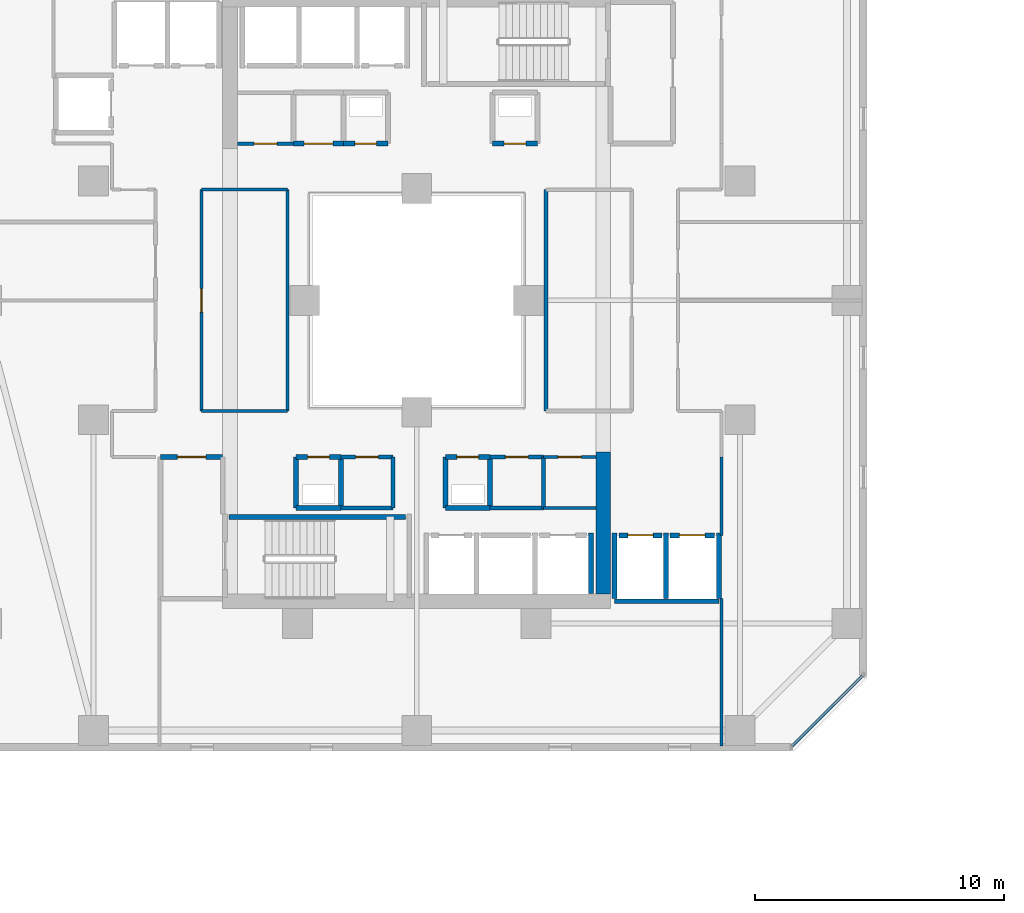
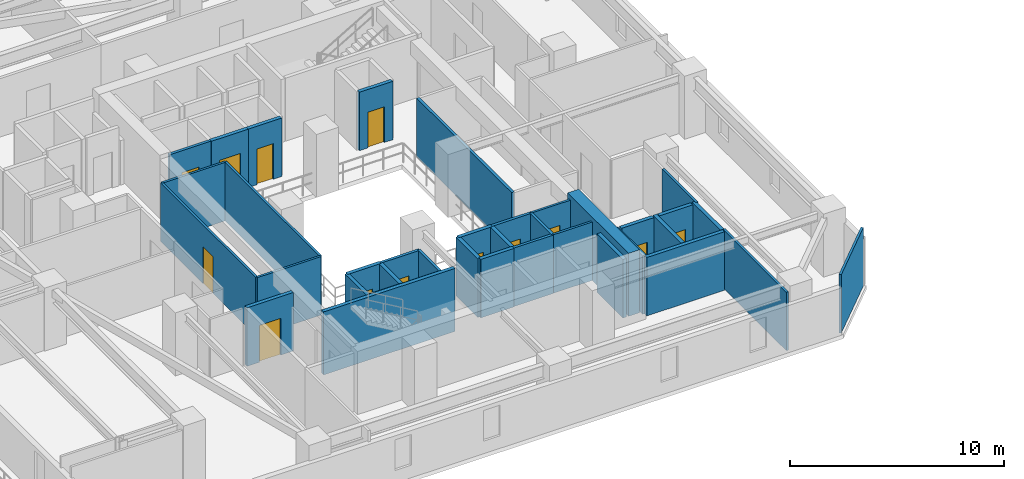
# One storey, part 20 of 33: 38 walls, 13 doors, 13 openings.
"""IFC4 building model written with IfcOpenShell, lengths in metres."""

from ifc_helpers import new_model, si_unit, direction, frame, frame_2d, origin, place, context, subcontext, project, spatial, rectangle, extrude, material, layer, layer_set, type_object, element, fill, save


model = new_model("IFC4")

# Units and contexts
model_context = context("Model", 3, precision=1e-05, world=origin(), true_north=direction((0.0, 1.0)))
body_context = subcontext(model_context, "Body", "Model", "MODEL_VIEW")
ifc_project = project(units=[si_unit("LENGTHUNIT", "METRE"), si_unit("AREAUNIT", "SQUARE_METRE"), si_unit("VOLUMEUNIT", "CUBIC_METRE"), si_unit("PLANEANGLEUNIT", "RADIAN"), si_unit("MASSUNIT", "GRAM", prefix="KILO")], contexts=[model_context])

# Site, building, storey
site_placement = place(None, origin())
site = spatial("IfcSite", under=ifc_project, at=site_placement, CompositionType="ELEMENT")
building_placement = place(site_placement, origin())
building = spatial("IfcBuilding", under=site, at=building_placement, Name="Thornwick Lancets Civic Towers", CompositionType="ELEMENT")
storey_placement = place(building_placement, frame((0.0, 0.0, 112.5)))
storey = spatial("IfcBuildingStorey", under=building, at=storey_placement, Name="L29", CompositionType="ELEMENT", Elevation=112.5)

# Wall, opening, door
ifc_material_1 = material(Name="Concrete blockwork C40/50", Category="masonry")
ifc_layer_1 = layer(ifc_material_1, 0.199951171875, Name="Concrete blockwork C40/50")
ifc_layer_set_1 = layer_set([ifc_layer_1], Name="Concrete blockwork C40/50")
wall_type_1 = type_object("IfcWallType", Name="WALL_COMP_200", PredefinedType="STANDARD", material=ifc_layer_set_1)
wall_1_placement = place(storey_placement, frame((33.6298828125, 17.550048828125, 0.0), z_axis=(0.0, 0.0, 1.0), x_axis=(1.0, 0.0, 0.0)))
wall_1 = element("IfcWall", 1, at=wall_1_placement, inside=storey, type_object=wall_type_1, Name="L29 Hoistway Front Wall PL-AL2", PredefinedType="STANDARD", context=body_context, shape_type="SweptSolid", body=[
    extrude(rectangle(XDim=1.740234375, YDim=0.199951171875, at=frame_2d((0.8701171875, 0.0))), origin(), (0.0, 0.0, 1.0), 3.340087890625),
])
opening_1_placement = place(wall_1_placement, frame((0.360107421875, 0.0, 0.0)))
opening_1 = element("IfcOpeningElement", 2, at=opening_1_placement, cuts=wall_1, Name="Opening LD-PL-AL2", PredefinedType="OPENING", context=body_context, shape_type="SweptSolid", body=[
    extrude(rectangle(XDim=1.02001953125, YDim=2.06005859375, at=frame_2d((0.510009765625, 1.030029296875))), frame((0.0, 0.10986328125, 0.0), z_axis=(0.0, -1.0, 0.0), x_axis=(1.0, 0.0, 0.0)), (0.0, 0.0, 1.0), 0.219970703125),
])
ifc_material_2 = material(Name="Brushed bronze stainless steel", Category="steel")
door_type_1 = type_object("IfcDoorType", Name="DOOR_LIFT_SLIDE", OperationType="SLIDING_TO_LEFT", PredefinedType="DOOR", material=ifc_material_2)
door_1_placement = place(opening_1_placement, origin())
door_1 = element("IfcDoor", 3, at=door_1_placement, inside=storey, type_object=door_type_1, Name="L29 Sliding Lift Landing Door LD-PL-AL2", OperationType="SLIDING_TO_LEFT", OverallHeight=2.06005859375, OverallWidth=1.02001953125, PredefinedType="DOOR", context=body_context, shape_type="SweptSolid", body=[
    extrude(rectangle(XDim=1.02001953125, YDim=2.06005859375, at=frame_2d((0.510009765625, 1.030029296875))), frame((0.0, 0.02490234375, 0.0), z_axis=(0.0, -1.0, 0.0), x_axis=(1.0, 0.0, 0.0)), (0.0, 0.0, 1.0), 0.050048828125),
])
fill(opening_1, door_1)

wall_2_placement = place(storey_placement, frame((35.679931640625, 17.550048828125, 0.0), z_axis=(0.0, 0.0, 1.0), x_axis=(1.0, 0.0, 0.0)))
wall_2 = element("IfcWall", 4, at=wall_2_placement, inside=storey, type_object=wall_type_1, Name="L29 Hoistway Front Wall PL-AL3", PredefinedType="STANDARD", context=body_context, shape_type="SweptSolid", body=[
    extrude(rectangle(XDim=1.7900390625, YDim=0.199951171875, at=frame_2d((0.89501953125, 0.0))), origin(), (0.0, 0.0, 1.0), 3.340087890625),
])
opening_2_placement = place(wall_2_placement, frame((0.385009765625, 0.0, 0.0)))
opening_2 = element("IfcOpeningElement", 5, at=opening_2_placement, cuts=wall_2, Name="Opening LD-PL-AL3", PredefinedType="OPENING", context=body_context, shape_type="SweptSolid", body=[
    extrude(rectangle(XDim=1.02001953125, YDim=2.06005859375, at=frame_2d((0.510009765625, 1.030029296875))), frame((0.0, 0.10986328125, 0.0), z_axis=(0.0, -1.0, 0.0), x_axis=(1.0, 0.0, 0.0)), (0.0, 0.0, 1.0), 0.219970703125),
])
door_2_placement = place(opening_2_placement, origin())
door_2 = element("IfcDoor", 6, at=door_2_placement, inside=storey, type_object=door_type_1, Name="L29 Sliding Lift Landing Door LD-PL-AL3", OperationType="SLIDING_TO_LEFT", OverallHeight=2.06005859375, OverallWidth=1.02001953125, PredefinedType="DOOR", context=body_context, shape_type="SweptSolid", body=[
    extrude(rectangle(XDim=1.02001953125, YDim=2.06005859375, at=frame_2d((0.510009765625, 1.030029296875))), frame((0.0, 0.02490234375, 0.0), z_axis=(0.0, -1.0, 0.0), x_axis=(1.0, 0.0, 0.0)), (0.0, 0.0, 1.0), 0.050048828125),
])
fill(opening_2, door_2)

# Walls
wall_3_placement = place(storey_placement, frame((32.5, 15.2119140625, 0.0), z_axis=(0.0, 0.0, 1.0), x_axis=(0.0, 1.0, 0.0)))
element("IfcWall", 7, at=wall_3_placement, inside=storey, type_object=wall_type_1, Name="L29 Hoistway Shaft Wall PL-AL1 E", PredefinedType="STANDARD", context=body_context, shape_type="SweptSolid", body=[
    extrude(rectangle(XDim=2.43603515625, YDim=0.199951171875, at=frame_2d((1.218017578125, 0.0))), origin(), (0.0, 0.0, 1.0), 3.340087890625),
])
wall_4_placement = place(storey_placement, frame((33.451904296875, 14.89990234375, 0.0), z_axis=(0.0, 0.0, 1.0), x_axis=(1.0, 0.0, 0.0)))
element("IfcWall", 8, at=wall_4_placement, inside=storey, type_object=wall_type_1, Name="L29 Hoistway Shaft Wall PL-AL2 S", PredefinedType="STANDARD", context=body_context, shape_type="SweptSolid", body=[
    extrude(rectangle(XDim=4.196044921875, YDim=0.199951171875, at=frame_2d((2.09814453125, 0.0))), origin(), (0.0, 0.0, 1.0), 3.340087890625),
])
for number, where, z_axis, x_axis, name in (
    (9, (35.52490234375, 15.011962890625, 0.0), (0.0, 0.0, 1.0), (0.0, 1.0, 0.0), "L29 Hoistway Shaft Wall PL-AL2 E"),
    (10, (33.449951171875, 15.011962890625, 0.0), (0.0, 0.0, 1.0), (0.0, 1.0, 0.0), "L29 Hoistway Shaft Wall PL-AL2 W"),
    (11, (37.64990234375, 15.011962890625, 0.0), (0.0, 0.0, 1.0), (0.0, 1.0, 0.0), "L29 Hoistway Shaft Wall PL-AL3 E"),
):
    element("IfcWall", number, at=place(storey_placement, frame(where, z_axis=z_axis, x_axis=x_axis)), inside=storey, type_object=wall_type_1, Name=name, PredefinedType="STANDARD", context=body_context, shape_type="SweptSolid", body=[
        extrude(rectangle(XDim=2.635986328125, YDim=0.199951171875, at=frame_2d((1.31787109375, 0.0))), origin(), (0.0, 0.0, 1.0), 3.340087890625),
    ])

# Wall, opening, door
wall_5_placement = place(storey_placement, frame((17.699951171875, 20.699951171875, 0.0), z_axis=(0.0, 0.0, 1.0), x_axis=(-1.0, 0.0, 0.0)))
wall_5 = element("IfcWall", 12, at=wall_5_placement, inside=storey, type_object=wall_type_1, Name="L29 Partition L29-A-FFLOB1 E3", PredefinedType="STANDARD", context=body_context, shape_type="SweptSolid", body=[
    extrude(rectangle(XDim=2.5, YDim=0.199951171875, at=frame_2d((1.25, 0.0))), origin(), (0.0, 0.0, 1.0), 3.340087890625),
])
opening_3_placement = place(wall_5_placement, frame((0.675048828125, 0.0, 0.0)))
opening_3 = element("IfcOpeningElement", 13, at=opening_3_placement, cuts=wall_5, Name="Opening D-L29-1321", PredefinedType="OPENING", context=body_context, shape_type="SweptSolid", body=[
    extrude(rectangle(XDim=1.14990234375, YDim=2.10009765625, at=frame_2d((0.574951171875, 1.050048828125))), frame((0.0, 0.10986328125, 0.0), z_axis=(0.0, -1.0, 0.0), x_axis=(1.0, 0.0, 0.0)), (0.0, 0.0, 1.0), 0.219970703125),
])
ifc_material_3 = material(Name="Glazed fire-resisting steel", Category="steel")
door_type_2 = type_object("IfcDoorType", Name="DOOR_LOBBY_FD60", OperationType="NOTDEFINED", PredefinedType="DOOR", material=ifc_material_3)
door_3_placement = place(opening_3_placement, origin())
door_3 = element("IfcDoor", 14, at=door_3_placement, inside=storey, type_object=door_type_2, Name="L29 South Firefighting Lobby 1 Door", OperationType="SINGLE_SWING_RIGHT", OverallHeight=2.10009765625, OverallWidth=1.14990234375, PredefinedType="DOOR", context=body_context, shape_type="SweptSolid", body=[
    extrude(rectangle(XDim=1.14990234375, YDim=2.10009765625, at=frame_2d((0.574951171875, 1.050048828125))), frame((0.0, 0.02490234375, 0.0), z_axis=(0.0, -1.0, 0.0), x_axis=(1.0, 0.0, 0.0)), (0.0, 0.0, 1.0), 0.050048828125),
])
fill(opening_3, door_3)

# Walls
wall_6_placement = place(storey_placement, frame((26.64990234375, 18.64990234375, 0.0), z_axis=(0.0, 0.0, 1.0), x_axis=(1.0, 0.0, 0.0)))
element("IfcWall", 15, at=wall_6_placement, inside=storey, type_object=wall_type_1, Name="L29 Partition L29-A-DUCT1 E1", PredefinedType="STANDARD", context=body_context, shape_type="SweptSolid", body=[
    extrude(rectangle(XDim=1.800048828125, YDim=0.199951171875, at=frame_2d((0.89990234375, 0.0))), origin(), (0.0, 0.0, 1.0), 3.340087890625),
])
wall_7_placement = place(storey_placement, frame((28.449951171875, 18.64990234375, 0.0), z_axis=(0.0, 0.0, 1.0), x_axis=(0.0, 1.0, 0.0)))
element("IfcWall", 16, at=wall_7_placement, inside=storey, type_object=wall_type_1, Name="L29 Partition L29-A-DUCT1 E2", PredefinedType="STANDARD", context=body_context, shape_type="SweptSolid", body=[
    extrude(rectangle(XDim=2.050048828125, YDim=0.199951171875, at=frame_2d((1.02490234375, 0.0))), origin(), (0.0, 0.0, 1.0), 3.340087890625),
])

# Wall, opening, door
wall_8_placement = place(storey_placement, frame((28.449951171875, 20.699951171875, 0.0), z_axis=(0.0, 0.0, 1.0), x_axis=(-1.0, 0.0, 0.0)))
wall_8 = element("IfcWall", 17, at=wall_8_placement, inside=storey, type_object=wall_type_1, Name="L29 Partition L29-A-DUCT1 E3", PredefinedType="STANDARD", context=body_context, shape_type="SweptSolid", body=[
    extrude(rectangle(XDim=1.800048828125, YDim=0.199951171875, at=frame_2d((0.89990234375, 0.0))), origin(), (0.0, 0.0, 1.0), 3.340087890625),
])
opening_4_placement = place(wall_8_placement, frame((0.4599609375, 0.0, 0.0)))
opening_4 = element("IfcOpeningElement", 18, at=opening_4_placement, cuts=wall_8, Name="Opening D-L29-1323", PredefinedType="OPENING", context=body_context, shape_type="SweptSolid", body=[
    extrude(rectangle(XDim=0.8798828125, YDim=2.0400390625, at=frame_2d((0.43994140625, 1.02001953125))), frame((0.0, 0.10986328125, 0.0), z_axis=(0.0, -1.0, 0.0), x_axis=(1.0, 0.0, 0.0)), (0.0, 0.0, 1.0), 0.219970703125),
])
ifc_material_4 = material(Name="Steel riser access doorset", Category="steel")
door_type_3 = type_object("IfcDoorType", Name="DOOR_RISER_850", OperationType="NOTDEFINED", PredefinedType="DOOR", material=ifc_material_4)
door_4_placement = place(opening_4_placement, origin())
door_4 = element("IfcDoor", 19, at=door_4_placement, inside=storey, type_object=door_type_3, Name="L29 South Service Duct 1 Door", OperationType="SINGLE_SWING_RIGHT", OverallHeight=2.0400390625, OverallWidth=0.8798828125, PredefinedType="DOOR", context=body_context, shape_type="SweptSolid", body=[
    extrude(rectangle(XDim=0.8798828125, YDim=2.0400390625, at=frame_2d((0.43994140625, 1.02001953125))), frame((0.0, 0.02490234375, 0.0), z_axis=(0.0, -1.0, 0.0), x_axis=(1.0, 0.0, 0.0)), (0.0, 0.0, 1.0), 0.050048828125),
])
fill(opening_4, door_4)

# Walls
wall_9_placement = place(storey_placement, frame((26.64990234375, 20.699951171875, 0.0), z_axis=(0.0, 0.0, 1.0), x_axis=(0.0, -1.0, 0.0)))
element("IfcWall", 20, at=wall_9_placement, inside=storey, type_object=wall_type_1, Name="L29 Partition L29-A-DUCT1 E4", PredefinedType="STANDARD", context=body_context, shape_type="SweptSolid", body=[
    extrude(rectangle(XDim=2.050048828125, YDim=0.199951171875, at=frame_2d((1.02490234375, 0.0))), origin(), (0.0, 0.0, 1.0), 3.340087890625),
])
wall_10_placement = place(storey_placement, frame((20.64990234375, 18.64990234375, 0.0), z_axis=(0.0, 0.0, 1.0), x_axis=(1.0, 0.0, 0.0)))
element("IfcWall", 21, at=wall_10_placement, inside=storey, type_object=wall_type_1, Name="L29 Partition L29-A-RISER1 E1", PredefinedType="STANDARD", context=body_context, shape_type="SweptSolid", body=[
    extrude(rectangle(XDim=1.800048828125, YDim=0.199951171875, at=frame_2d((0.89990234375, 0.0))), origin(), (0.0, 0.0, 1.0), 3.340087890625),
])
wall_11_placement = place(storey_placement, frame((22.449951171875, 18.64990234375, 0.0), z_axis=(0.0, 0.0, 1.0), x_axis=(0.0, 1.0, 0.0)))
element("IfcWall", 22, at=wall_11_placement, inside=storey, type_object=wall_type_1, Name="L29 Partition L29-A-RISER1 E2", PredefinedType="STANDARD", context=body_context, shape_type="SweptSolid", body=[
    extrude(rectangle(XDim=2.050048828125, YDim=0.199951171875, at=frame_2d((1.02490234375, 0.0))), origin(), (0.0, 0.0, 1.0), 3.340087890625),
])

# Wall, opening, door
wall_12_placement = place(storey_placement, frame((22.449951171875, 20.699951171875, 0.0), z_axis=(0.0, 0.0, 1.0), x_axis=(-1.0, 0.0, 0.0)))
wall_12 = element("IfcWall", 23, at=wall_12_placement, inside=storey, type_object=wall_type_1, Name="L29 Partition L29-A-RISER1 E3", PredefinedType="STANDARD", context=body_context, shape_type="SweptSolid", body=[
    extrude(rectangle(XDim=1.800048828125, YDim=0.199951171875, at=frame_2d((0.89990234375, 0.0))), origin(), (0.0, 0.0, 1.0), 3.340087890625),
])
opening_5_placement = place(wall_12_placement, frame((0.4599609375, 0.0, 0.0)))
opening_5 = element("IfcOpeningElement", 24, at=opening_5_placement, cuts=wall_12, Name="Opening D-L29-1324", PredefinedType="OPENING", context=body_context, shape_type="SweptSolid", body=[
    extrude(rectangle(XDim=0.8798828125, YDim=2.0400390625, at=frame_2d((0.43994140625, 1.02001953125))), frame((0.0, 0.10986328125, 0.0), z_axis=(0.0, -1.0, 0.0), x_axis=(1.0, 0.0, 0.0)), (0.0, 0.0, 1.0), 0.219970703125),
])
door_5_placement = place(opening_5_placement, origin())
door_5 = element("IfcDoor", 25, at=door_5_placement, inside=storey, type_object=door_type_3, Name="L29 South Electrical Riser 1 Door", OperationType="SINGLE_SWING_LEFT", OverallHeight=2.0400390625, OverallWidth=0.8798828125, PredefinedType="DOOR", context=body_context, shape_type="SweptSolid", body=[
    extrude(rectangle(XDim=0.8798828125, YDim=2.0400390625, at=frame_2d((0.43994140625, 1.02001953125))), frame((0.0, 0.02490234375, 0.0), z_axis=(0.0, -1.0, 0.0), x_axis=(1.0, 0.0, 0.0)), (0.0, 0.0, 1.0), 0.050048828125),
])
fill(opening_5, door_5)

# Wall
wall_13_placement = place(storey_placement, frame((20.64990234375, 20.699951171875, 0.0), z_axis=(0.0, 0.0, 1.0), x_axis=(0.0, -1.0, 0.0)))
element("IfcWall", 26, at=wall_13_placement, inside=storey, type_object=wall_type_1, Name="L29 Partition L29-A-RISER1 E4", PredefinedType="STANDARD", context=body_context, shape_type="SweptSolid", body=[
    extrude(rectangle(XDim=2.050048828125, YDim=0.199951171875, at=frame_2d((1.02490234375, 0.0))), origin(), (0.0, 0.0, 1.0), 3.340087890625),
])

# Wall, opening, door
wall_14_placement = place(storey_placement, frame((22.550048828125, 33.300048828125, 0.0), z_axis=(0.0, 0.0, 1.0), x_axis=(1.0, 0.0, 0.0)))
wall_14 = element("IfcWall", 27, at=wall_14_placement, inside=storey, type_object=wall_type_1, Name="L29 Partition L29-A-DUCT2 E1", PredefinedType="STANDARD", context=body_context, shape_type="SweptSolid", body=[
    extrude(rectangle(XDim=1.800048828125, YDim=0.199951171875, at=frame_2d((0.89990234375, 0.0))), origin(), (0.0, 0.0, 1.0), 3.340087890625),
])
opening_6_placement = place(wall_14_placement, frame((0.4599609375, 0.0, 0.0)))
opening_6 = element("IfcOpeningElement", 28, at=opening_6_placement, cuts=wall_14, Name="Opening D-L29-1325", PredefinedType="OPENING", context=body_context, shape_type="SweptSolid", body=[
    extrude(rectangle(XDim=0.8798828125, YDim=2.0400390625, at=frame_2d((0.43994140625, 1.02001953125))), frame((0.0, 0.10986328125, 0.0), z_axis=(0.0, -1.0, 0.0), x_axis=(1.0, 0.0, 0.0)), (0.0, 0.0, 1.0), 0.219970703125),
])
door_6_placement = place(opening_6_placement, origin())
door_6 = element("IfcDoor", 29, at=door_6_placement, inside=storey, type_object=door_type_3, Name="L29 North Service Duct 2 Door", OperationType="SINGLE_SWING_RIGHT", OverallHeight=2.0400390625, OverallWidth=0.8798828125, PredefinedType="DOOR", context=body_context, shape_type="SweptSolid", body=[
    extrude(rectangle(XDim=0.8798828125, YDim=2.0400390625, at=frame_2d((0.43994140625, 1.02001953125))), frame((0.0, 0.02490234375, 0.0), z_axis=(0.0, -1.0, 0.0), x_axis=(1.0, 0.0, 0.0)), (0.0, 0.0, 1.0), 0.050048828125),
])
fill(opening_6, door_6)

wall_15_placement = place(storey_placement, frame((28.550048828125, 33.300048828125, 0.0), z_axis=(0.0, 0.0, 1.0), x_axis=(1.0, 0.0, 0.0)))
wall_15 = element("IfcWall", 30, at=wall_15_placement, inside=storey, type_object=wall_type_1, Name="L29 Partition L29-A-RISER2 E1", PredefinedType="STANDARD", context=body_context, shape_type="SweptSolid", body=[
    extrude(rectangle(XDim=1.800048828125, YDim=0.199951171875, at=frame_2d((0.89990234375, 0.0))), origin(), (0.0, 0.0, 1.0), 3.340087890625),
])
opening_7_placement = place(wall_15_placement, frame((0.4599609375, 0.0, 0.0)))
opening_7 = element("IfcOpeningElement", 31, at=opening_7_placement, cuts=wall_15, Name="Opening D-L29-1326", PredefinedType="OPENING", context=body_context, shape_type="SweptSolid", body=[
    extrude(rectangle(XDim=0.8798828125, YDim=2.0400390625, at=frame_2d((0.43994140625, 1.02001953125))), frame((0.0, 0.10986328125, 0.0), z_axis=(0.0, -1.0, 0.0), x_axis=(1.0, 0.0, 0.0)), (0.0, 0.0, 1.0), 0.219970703125),
])
door_7_placement = place(opening_7_placement, origin())
door_7 = element("IfcDoor", 32, at=door_7_placement, inside=storey, type_object=door_type_3, Name="L29 North Service Riser 2 Door", OperationType="SINGLE_SWING_LEFT", OverallHeight=2.0400390625, OverallWidth=0.8798828125, PredefinedType="DOOR", context=body_context, shape_type="SweptSolid", body=[
    extrude(rectangle(XDim=0.8798828125, YDim=2.0400390625, at=frame_2d((0.43994140625, 1.02001953125))), frame((0.0, 0.02490234375, 0.0), z_axis=(0.0, -1.0, 0.0), x_axis=(1.0, 0.0, 0.0)), (0.0, 0.0, 1.0), 0.050048828125),
])
fill(opening_7, door_7)

wall_16_placement = place(storey_placement, frame((22.550048828125, 33.300048828125, 0.0), z_axis=(0.0, 0.0, 1.0), x_axis=(-1.0, 0.0, 0.0)))
wall_16 = element("IfcWall", 33, at=wall_16_placement, inside=storey, type_object=wall_type_1, Name="L29 Partition L29-A-STR E4", PredefinedType="STANDARD", context=body_context, shape_type="SweptSolid", body=[
    extrude(rectangle(XDim=2.0, YDim=0.199951171875, at=frame_2d((1.0, 0.0))), origin(), (0.0, 0.0, 1.0), 3.340087890625),
])
opening_8_placement = place(wall_16_placement, frame((0.425048828125, 0.0, 0.0)))
opening_8 = element("IfcOpeningElement", 34, at=opening_8_placement, cuts=wall_16, Name="Opening D-L29-1331", PredefinedType="OPENING", context=body_context, shape_type="SweptSolid", body=[
    extrude(rectangle(XDim=1.14990234375, YDim=2.10009765625, at=frame_2d((0.574951171875, 1.050048828125))), frame((0.0, 0.10986328125, 0.0), z_axis=(0.0, -1.0, 0.0), x_axis=(1.0, 0.0, 0.0)), (0.0, 0.0, 1.0), 0.219970703125),
])
door_8_placement = place(opening_8_placement, origin())
door_8 = element("IfcDoor", 35, at=door_8_placement, inside=storey, type_object=door_type_2, Name="L29 Tower A Core Records Store Door", OperationType="SINGLE_SWING_RIGHT", OverallHeight=2.10009765625, OverallWidth=1.14990234375, PredefinedType="DOOR", context=body_context, shape_type="SweptSolid", body=[
    extrude(rectangle(XDim=1.14990234375, YDim=2.10009765625, at=frame_2d((0.574951171875, 1.050048828125))), frame((0.0, 0.02490234375, 0.0), z_axis=(0.0, -1.0, 0.0), x_axis=(1.0, 0.0, 0.0)), (0.0, 0.0, 1.0), 0.050048828125),
])
fill(opening_8, door_8)

# Walls
ifc_material_5 = material(Name="Concrete C60/75", Category="concrete")
ifc_layer_2 = layer(ifc_material_5, 0.60009765625, Name="Concrete C60/75")
ifc_layer_set_2 = layer_set([ifc_layer_2], Name="Concrete C60/75")
wall_type_2 = type_object("IfcWallType", Name="WALL_CORE_600", PredefinedType="SHEAR", material=ifc_layer_set_2)
wall_17_placement = place(storey_placement, frame((33.0, 15.199951171875, 0.0), z_axis=(0.0, 0.0, 1.0), x_axis=(0.0, 1.0, 0.0)))
element("IfcWall", 36, at=wall_17_placement, inside=storey, type_object=wall_type_2, Name="L29 Split Core A1 Shear Wall E", PredefinedType="SHEAR", context=body_context, shape_type="SweptSolid", body=[
    extrude(rectangle(XDim=5.699951171875, YDim=0.60009765625, at=frame_2d((2.85009765625, 0.0))), origin(), (0.0, 0.0, 1.0), 3.60009765625),
])
ifc_material_6 = material(Name="Acoustic gypsum board partition")
ifc_layer_3 = layer(ifc_material_6, 0.1201171875, Name="Acoustic gypsum board partition")
ifc_layer_set_3 = layer_set([ifc_layer_3], Name="Acoustic gypsum board partition")
wall_type_3 = type_object("IfcWallType", Name="WALL_PART_120", PredefinedType="PARTITIONING", material=ifc_layer_set_3)
wall_18_placement = place(storey_placement, frame((32.699951171875, 18.64990234375, 0.0), z_axis=(0.0, 0.0, 1.0), x_axis=(-1.0, 0.0, 0.0)))
element("IfcWall", 37, at=wall_18_placement, inside=storey, type_object=wall_type_3, Name="L29 Partition L29-A-ITR E2", PredefinedType="PARTITIONING", context=body_context, shape_type="SweptSolid", body=[
    extrude(rectangle(XDim=2.099853515625, YDim=0.1201171875, at=frame_2d((1.0498046875, 0.0))), origin(), (0.0, 0.0, 1.0), 3.340087890625),
])

# Wall, opening, door
wall_19_placement = place(storey_placement, frame((30.60009765625, 20.699951171875, 0.0), z_axis=(0.0, 0.0, 1.0), x_axis=(1.0, 0.0, 0.0)))
wall_19 = element("IfcWall", 38, at=wall_19_placement, inside=storey, type_object=wall_type_3, Name="L29 Partition L29-A-ITR E4", PredefinedType="PARTITIONING", context=body_context, shape_type="SweptSolid", body=[
    extrude(rectangle(XDim=2.099853515625, YDim=0.1201171875, at=frame_2d((1.0498046875, 0.0))), origin(), (0.0, 0.0, 1.0), 3.340087890625),
])
opening_9_placement = place(wall_19_placement, frame((0.574951171875, 0.0, 0.0)))
opening_9 = element("IfcOpeningElement", 39, at=opening_9_placement, cuts=wall_19, Name="Opening D-L29-1329", PredefinedType="OPENING", context=body_context, shape_type="SweptSolid", body=[
    extrude(rectangle(XDim=0.949951171875, YDim=2.10009765625, at=frame_2d((0.47509765625, 1.050048828125))), frame((0.0, 0.070068359375, 0.0), z_axis=(0.0, -1.0, 0.0), x_axis=(1.0, 0.0, 0.0)), (0.0, 0.0, 1.0), 0.14013671875),
])
ifc_material_7 = material(Name="European oak acoustic doorset")
door_type_4 = type_object("IfcDoorType", Name="DOOR_OFFICE_950", OperationType="NOTDEFINED", PredefinedType="DOOR", material=ifc_material_7)
door_9_placement = place(opening_9_placement, origin())
door_9 = element("IfcDoor", 40, at=door_9_placement, inside=storey, type_object=door_type_4, Name="L29 Tower A Comms Patch Room Door", OperationType="SINGLE_SWING_RIGHT", OverallHeight=2.10009765625, OverallWidth=0.949951171875, PredefinedType="DOOR", context=body_context, shape_type="SweptSolid", body=[
    extrude(rectangle(XDim=0.949951171875, YDim=2.10009765625, at=frame_2d((0.47509765625, 1.050048828125))), frame((0.0, 0.02490234375, 0.0), z_axis=(0.0, -1.0, 0.0), x_axis=(1.0, 0.0, 0.0)), (0.0, 0.0, 1.0), 0.050048828125),
])
fill(opening_9, door_9)

# Walls
wall_20_placement = place(storey_placement, frame((37.75, 17.550048828125, 0.0), z_axis=(0.0, 0.0, 1.0), x_axis=(0.0, 1.0, 0.0)))
element("IfcWall", 41, at=wall_20_placement, inside=storey, type_object=wall_type_3, Name="L29 Partition L29-A-E1 E1", PredefinedType="PARTITIONING", context=body_context, shape_type="SweptSolid", body=[
    extrude(rectangle(XDim=3.14990234375, YDim=0.1201171875, at=frame_2d((1.574951171875, 0.0))), origin(), (0.0, 0.0, 1.0), 3.340087890625),
])
wall_21_placement = place(storey_placement, frame((43.419921875, 11.901611328125, 0.0), z_axis=(0.0, 0.0, 1.0), x_axis=(-0.707106781187, -0.707106781187, 0.0)))
element("IfcWall", 42, at=wall_21_placement, inside=storey, type_object=wall_type_3, Name="L29 Partition L29-A-E1 E7", PredefinedType="PARTITIONING", context=body_context, shape_type="SweptSolid", body=[
    extrude(rectangle(XDim=3.990234375, YDim=0.1201171875, at=frame_2d((1.9951171875, 0.0))), origin(), (0.0, 0.0, 1.0), 3.340087890625),
])
wall_22_placement = place(storey_placement, frame((37.75, 9.080078125, 0.0), z_axis=(0.0, 0.0, 1.0), x_axis=(0.0, 1.0, 0.0)))
element("IfcWall", 43, at=wall_22_placement, inside=storey, type_object=wall_type_3, Name="L29 Partition L29-A-E1 E13", PredefinedType="PARTITIONING", context=body_context, shape_type="SweptSolid", body=[
    extrude(rectangle(XDim=5.931884765625, YDim=0.1201171875, at=frame_2d((2.9658203125, 0.0))), origin(), (0.0, 0.0, 1.0), 3.340087890625),
])

# Wall, opening, door
wall_23_placement = place(storey_placement, frame((16.85009765625, 22.550048828125, 0.0), z_axis=(0.0, 0.0, 1.0), x_axis=(0.0, 1.0, 0.0)))
wall_23 = element("IfcWall", 44, at=wall_23_placement, inside=storey, type_object=wall_type_3, Name="L29 Partition L29-A-ATR-W E1", PredefinedType="PARTITIONING", context=body_context, shape_type="SweptSolid", body=[
    extrude(rectangle(XDim=8.89990234375, YDim=0.1201171875, at=frame_2d((4.449951171875, 0.0))), origin(), (0.0, 0.0, 1.0), 3.340087890625),
])
opening_10_placement = place(wall_23_placement, frame((3.97509765625, 0.0, 0.0)))
opening_10 = element("IfcOpeningElement", 45, at=opening_10_placement, cuts=wall_23, Name="Opening D-L29-1350", PredefinedType="OPENING", context=body_context, shape_type="SweptSolid", body=[
    extrude(rectangle(XDim=0.949951171875, YDim=2.10009765625, at=frame_2d((0.47509765625, 1.050048828125))), frame((0.0, 0.070068359375, 0.0), z_axis=(0.0, -1.0, 0.0), x_axis=(1.0, 0.0, 0.0)), (0.0, 0.0, 1.0), 0.14013671875),
])
door_10_placement = place(opening_10_placement, origin())
door_10 = element("IfcDoor", 46, at=door_10_placement, inside=storey, type_object=door_type_4, Name="L29 Tower A West Atrium Study Lounge Door", OperationType="SINGLE_SWING_LEFT", OverallHeight=2.10009765625, OverallWidth=0.949951171875, PredefinedType="DOOR", context=body_context, shape_type="SweptSolid", body=[
    extrude(rectangle(XDim=0.949951171875, YDim=2.10009765625, at=frame_2d((0.47509765625, 1.050048828125))), frame((0.0, 0.02490234375, 0.0), z_axis=(0.0, -1.0, 0.0), x_axis=(1.0, 0.0, 0.0)), (0.0, 0.0, 1.0), 0.050048828125),
])
fill(opening_10, door_10)

# Walls
wall_24_placement = place(storey_placement, frame((16.85009765625, 31.449951171875, 0.0), z_axis=(0.0, 0.0, 1.0), x_axis=(1.0, 0.0, 0.0)))
element("IfcWall", 47, at=wall_24_placement, inside=storey, type_object=wall_type_3, Name="L29 Partition L29-A-ATR-W E2", PredefinedType="PARTITIONING", context=body_context, shape_type="SweptSolid", body=[
    extrude(rectangle(XDim=3.449951171875, YDim=0.1201171875, at=frame_2d((1.72509765625, 0.0))), origin(), (0.0, 0.0, 1.0), 3.340087890625),
])
wall_25_placement = place(storey_placement, frame((20.300048828125, 31.449951171875, 0.0), z_axis=(0.0, 0.0, 1.0), x_axis=(0.0, -1.0, 0.0)))
element("IfcWall", 48, at=wall_25_placement, inside=storey, type_object=wall_type_3, Name="L29 Partition L29-A-ATR-W E3", PredefinedType="PARTITIONING", context=body_context, shape_type="SweptSolid", body=[
    extrude(rectangle(XDim=8.89990234375, YDim=0.1201171875, at=frame_2d((4.449951171875, 0.0))), origin(), (0.0, 0.0, 1.0), 3.340087890625),
])
wall_26_placement = place(storey_placement, frame((20.300048828125, 22.550048828125, 0.0), z_axis=(0.0, 0.0, 1.0), x_axis=(-1.0, 0.0, 0.0)))
element("IfcWall", 49, at=wall_26_placement, inside=storey, type_object=wall_type_3, Name="L29 Partition L29-A-ATR-W E4", PredefinedType="PARTITIONING", context=body_context, shape_type="SweptSolid", body=[
    extrude(rectangle(XDim=3.449951171875, YDim=0.1201171875, at=frame_2d((1.72509765625, 0.0))), origin(), (0.0, 0.0, 1.0), 3.340087890625),
])
ifc_material_8 = material(Name="Twin-stud acoustic gypsum board")
ifc_layer_4 = layer(ifc_material_8, 0.14990234375, Name="Twin-stud acoustic gypsum board")
ifc_layer_set_4 = layer_set([ifc_layer_4], Name="Twin-stud acoustic gypsum board")
wall_type_4 = type_object("IfcWallType", Name="WALL_PART_150", PredefinedType="PARTITIONING", material=ifc_layer_set_4)
wall_27_placement = place(storey_placement, frame((24.550048828125, 20.699951171875, 0.0), z_axis=(0.0, 0.0, 1.0), x_axis=(0.0, -1.0, 0.0)))
element("IfcWall", 50, at=wall_27_placement, inside=storey, type_object=wall_type_4, Name="L29 Partition L29-A-MWC E1", PredefinedType="PARTITIONING", context=body_context, shape_type="SweptSolid", body=[
    extrude(rectangle(XDim=2.050048828125, YDim=0.14990234375, at=frame_2d((1.02490234375, 0.0))), origin(), (0.0, 0.0, 1.0), 3.340087890625),
])
wall_28_placement = place(storey_placement, frame((24.550048828125, 18.64990234375, 0.0), z_axis=(0.0, 0.0, 1.0), x_axis=(-1.0, 0.0, 0.0)))
element("IfcWall", 51, at=wall_28_placement, inside=storey, type_object=wall_type_4, Name="L29 Partition L29-A-MWC E2", PredefinedType="PARTITIONING", context=body_context, shape_type="SweptSolid", body=[
    extrude(rectangle(XDim=2.10009765625, YDim=0.14990234375, at=frame_2d((1.050048828125, 0.0))), origin(), (0.0, 0.0, 1.0), 3.340087890625),
])

# Wall, opening, door
wall_29_placement = place(storey_placement, frame((22.449951171875, 20.699951171875, 0.0), z_axis=(0.0, 0.0, 1.0), x_axis=(1.0, 0.0, 0.0)))
wall_29 = element("IfcWall", 52, at=wall_29_placement, inside=storey, type_object=wall_type_4, Name="L29 Partition L29-A-MWC E4", PredefinedType="PARTITIONING", context=body_context, shape_type="SweptSolid", body=[
    extrude(rectangle(XDim=2.10009765625, YDim=0.14990234375, at=frame_2d((1.050048828125, 0.0))), origin(), (0.0, 0.0, 1.0), 3.340087890625),
])
opening_11_placement = place(wall_29_placement, frame((0.590087890625, 0.0, 0.0)))
opening_11 = element("IfcOpeningElement", 53, at=opening_11_placement, cuts=wall_29, Name="Opening D-L29-1327", PredefinedType="OPENING", context=body_context, shape_type="SweptSolid", body=[
    extrude(rectangle(XDim=0.919921875, YDim=2.080078125, at=frame_2d((0.4599609375, 1.0400390625))), frame((0.0, 0.0849609375, 0.0), z_axis=(0.0, -1.0, 0.0), x_axis=(1.0, 0.0, 0.0)), (0.0, 0.0, 1.0), 0.169921875),
])
ifc_material_9 = material(Name="Moisture-resistant oak doorset")
door_type_5 = type_object("IfcDoorType", Name="DOOR_WC_900", OperationType="NOTDEFINED", PredefinedType="DOOR", material=ifc_material_9)
door_11_placement = place(opening_11_placement, origin())
door_11 = element("IfcDoor", 54, at=door_11_placement, inside=storey, type_object=door_type_5, Name="L29 Tower A Male WC Door", OperationType="SINGLE_SWING_RIGHT", OverallHeight=2.080078125, OverallWidth=0.919921875, PredefinedType="DOOR", context=body_context, shape_type="SweptSolid", body=[
    extrude(rectangle(XDim=0.919921875, YDim=2.080078125, at=frame_2d((0.4599609375, 1.0400390625))), frame((0.0, 0.02490234375, 0.0), z_axis=(0.0, -1.0, 0.0), x_axis=(1.0, 0.0, 0.0)), (0.0, 0.0, 1.0), 0.050048828125),
])
fill(opening_11, door_11)

# Walls
wall_30_placement = place(storey_placement, frame((30.60009765625, 20.699951171875, 0.0), z_axis=(0.0, 0.0, 1.0), x_axis=(0.0, -1.0, 0.0)))
element("IfcWall", 55, at=wall_30_placement, inside=storey, type_object=wall_type_4, Name="L29 Partition L29-A-FWC E1", PredefinedType="PARTITIONING", context=body_context, shape_type="SweptSolid", body=[
    extrude(rectangle(XDim=2.050048828125, YDim=0.14990234375, at=frame_2d((1.02490234375, 0.0))), origin(), (0.0, 0.0, 1.0), 3.340087890625),
])
wall_31_placement = place(storey_placement, frame((30.60009765625, 18.64990234375, 0.0), z_axis=(0.0, 0.0, 1.0), x_axis=(-1.0, 0.0, 0.0)))
element("IfcWall", 56, at=wall_31_placement, inside=storey, type_object=wall_type_4, Name="L29 Partition L29-A-FWC E2", PredefinedType="PARTITIONING", context=body_context, shape_type="SweptSolid", body=[
    extrude(rectangle(XDim=2.150146484375, YDim=0.14990234375, at=frame_2d((1.0751953125, 0.0))), origin(), (0.0, 0.0, 1.0), 3.340087890625),
])

# Wall, opening, door
wall_32_placement = place(storey_placement, frame((28.449951171875, 20.699951171875, 0.0), z_axis=(0.0, 0.0, 1.0), x_axis=(1.0, 0.0, 0.0)))
wall_32 = element("IfcWall", 57, at=wall_32_placement, inside=storey, type_object=wall_type_4, Name="L29 Partition L29-A-FWC E4", PredefinedType="PARTITIONING", context=body_context, shape_type="SweptSolid", body=[
    extrude(rectangle(XDim=2.150146484375, YDim=0.14990234375, at=frame_2d((1.0751953125, 0.0))), origin(), (0.0, 0.0, 1.0), 3.340087890625),
])
opening_12_placement = place(wall_32_placement, frame((0.614990234375, 0.0, 0.0)))
opening_12 = element("IfcOpeningElement", 58, at=opening_12_placement, cuts=wall_32, Name="Opening D-L29-1328", PredefinedType="OPENING", context=body_context, shape_type="SweptSolid", body=[
    extrude(rectangle(XDim=0.919921875, YDim=2.080078125, at=frame_2d((0.4599609375, 1.0400390625))), frame((0.0, 0.0849609375, 0.0), z_axis=(0.0, -1.0, 0.0), x_axis=(1.0, 0.0, 0.0)), (0.0, 0.0, 1.0), 0.169921875),
])
door_12_placement = place(opening_12_placement, origin())
door_12 = element("IfcDoor", 59, at=door_12_placement, inside=storey, type_object=door_type_5, Name="L29 Tower A Female WC Door", OperationType="SINGLE_SWING_LEFT", OverallHeight=2.080078125, OverallWidth=0.919921875, PredefinedType="DOOR", context=body_context, shape_type="SweptSolid", body=[
    extrude(rectangle(XDim=0.919921875, YDim=2.080078125, at=frame_2d((0.4599609375, 1.0400390625))), frame((0.0, 0.02490234375, 0.0), z_axis=(0.0, -1.0, 0.0), x_axis=(1.0, 0.0, 0.0)), (0.0, 0.0, 1.0), 0.050048828125),
])
fill(opening_12, door_12)

wall_33_placement = place(storey_placement, frame((18.300048828125, 33.300048828125, 0.0), z_axis=(0.0, 0.0, 1.0), x_axis=(1.0, 0.0, 0.0)))
wall_33 = element("IfcWall", 60, at=wall_33_placement, inside=storey, type_object=wall_type_4, Name="L29 Partition L29-A-AWC E1", PredefinedType="PARTITIONING", context=body_context, shape_type="SweptSolid", body=[
    extrude(rectangle(XDim=2.25, YDim=0.14990234375, at=frame_2d((1.125, 0.0))), origin(), (0.0, 0.0, 1.0), 3.340087890625),
])
opening_13_placement = place(wall_33_placement, frame((0.6650390625, 0.0, 0.0)))
opening_13 = element("IfcOpeningElement", 61, at=opening_13_placement, cuts=wall_33, Name="Opening D-L29-1330", PredefinedType="OPENING", context=body_context, shape_type="SweptSolid", body=[
    extrude(rectangle(XDim=0.919921875, YDim=2.080078125, at=frame_2d((0.4599609375, 1.0400390625))), frame((0.0, 0.0849609375, 0.0), z_axis=(0.0, -1.0, 0.0), x_axis=(1.0, 0.0, 0.0)), (0.0, 0.0, 1.0), 0.169921875),
])
door_13_placement = place(opening_13_placement, origin())
door_13 = element("IfcDoor", 62, at=door_13_placement, inside=storey, type_object=door_type_5, Name="L29 Tower A Accessible WC Door", OperationType="SINGLE_SWING_LEFT", OverallHeight=2.080078125, OverallWidth=0.919921875, PredefinedType="DOOR", context=body_context, shape_type="SweptSolid", body=[
    extrude(rectangle(XDim=0.919921875, YDim=2.080078125, at=frame_2d((0.4599609375, 1.0400390625))), frame((0.0, 0.02490234375, 0.0), z_axis=(0.0, -1.0, 0.0), x_axis=(1.0, 0.0, 0.0)), (0.0, 0.0, 1.0), 0.050048828125),
])
fill(opening_13, door_13)

# Walls
wall_34_placement = place(storey_placement, frame((30.699951171875, 22.550048828125, 0.0), z_axis=(0.0, 0.0, 1.0), x_axis=(0.0, 1.0, 0.0)))
element("IfcWall", 63, at=wall_34_placement, inside=storey, type_object=wall_type_4, Name="L29 Partition L29-A-ATR-E E1", PredefinedType="PARTITIONING", context=body_context, shape_type="SweptSolid", body=[
    extrude(rectangle(XDim=8.89990234375, YDim=0.14990234375, at=frame_2d((4.449951171875, 0.0))), origin(), (0.0, 0.0, 1.0), 3.340087890625),
])
ifc_material_10 = material(Name="Concrete C40/50", Category="concrete")
ifc_layer_5 = layer(ifc_material_10, 0.199951171875, Name="Concrete C40/50")
ifc_layer_set_5 = layer_set([ifc_layer_5], Name="Concrete C40/50")
wall_type_5 = type_object("IfcWallType", Name="WALL_SHAFT_200", PredefinedType="SHEAR", material=ifc_layer_set_5)
wall_35_placement = place(storey_placement, frame((25.050048828125, 18.297119140625, 0.0), z_axis=(0.0, 0.0, 1.0), x_axis=(-1.0, 0.0, 0.0)))
element("IfcWall", 64, at=wall_35_placement, inside=storey, type_object=wall_type_5, Name="L29 ST-A1 Fire Stair Core Wall RIGHT", PredefinedType="SHEAR", context=body_context, shape_type="SweptSolid", body=[
    extrude(rectangle(XDim=7.10009765625, YDim=0.199951171875, at=frame_2d((3.550048828125, 0.0))), origin(), (0.0, 0.0, 1.0), 3.60009765625),
])

save(model, "model.ifc")
